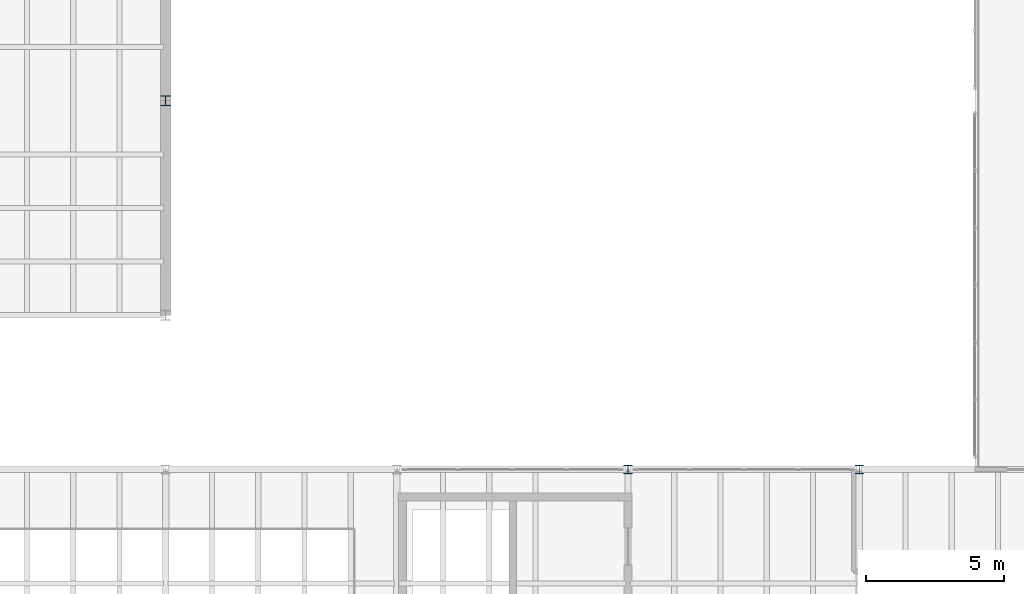
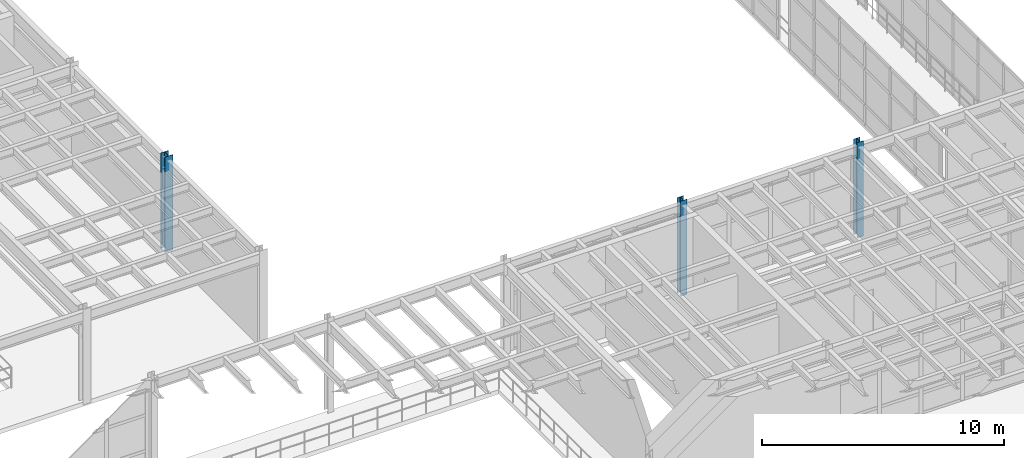
# One storey, part 6 of 105: 3 columns.
"""IFC4 building model written with IfcOpenShell, lengths in metres."""

from ifc_helpers import new_model, si_unit, direction, frame, origin, origin_2d, place, context, subcontext, project, spatial, i_section, extrude, material, material_profile, profile_set, type_object, element, save


model = new_model("IFC4")

# Units and contexts
model_context = context("Model", 3, precision=1e-05, world=origin(), true_north=direction((0.0, 1.0)))
body_context = subcontext(model_context, "Body", "Model", "MODEL_VIEW")
ifc_project = project(units=[si_unit("LENGTHUNIT", "METRE"), si_unit("AREAUNIT", "SQUARE_METRE"), si_unit("VOLUMEUNIT", "CUBIC_METRE"), si_unit("PLANEANGLEUNIT", "RADIAN"), si_unit("MASSUNIT", "GRAM", prefix="KILO")], contexts=[model_context])

# Site, building, storey
site_placement = place(None, origin())
site = spatial("IfcSite", under=ifc_project, at=site_placement, CompositionType="ELEMENT")
building_placement = place(site_placement, origin())
building = spatial("IfcBuilding", under=site, at=building_placement, Name="Selat Folded Stagehouse", CompositionType="ELEMENT")
storey_placement = place(building_placement, frame((0.0, 0.0, 10.199951171875)))
storey = spatial("IfcBuildingStorey", under=building, at=storey_placement, Name="L02", CompositionType="ELEMENT", Elevation=10.199951171875)

# Columns
ifc_material = material(Name="Steel S355", Category="steel")
ifc_material_profile_1 = material_profile(ifc_material, i_section(OverallWidth=0.305419921875, OverallDepth=0.307861328125, WebThickness=0.010009765625, FlangeThickness=0.015380859375, FilletRadius=0.01513671875, at=origin_2d()), Name="UKC 305x305x97")
ifc_profile_set_1 = profile_set([ifc_material_profile_1], Name="Steel S355")
column_type_1 = type_object("IfcColumnType", Name="COL-UKC-305x305x97", PredefinedType="COLUMN", material=ifc_profile_set_1)
for number, where, z_axis, x_axis, name in (
    (1, (84.0, 17.800048828125, 0.0), (0.0, 0.0, 1.0), (1.0, 0.0, 0.0), "L02 column STK-V5-84-178"),
    (2, (92.39990234375, 17.800048828125, 0.0), (0.0, 0.0, 1.0), (1.0, 0.0, 0.0), "L02 column STK-V5-92-178"),
):
    element("IfcColumn", number, at=place(storey_placement, frame(where, z_axis=z_axis, x_axis=x_axis)), inside=storey, type_object=column_type_1, Name=name, PredefinedType="COLUMN", context=body_context, shape_type="SweptSolid", body=[
        extrude(i_section(OverallWidth=0.305419921875, OverallDepth=0.307861328125, WebThickness=0.010009765625, FlangeThickness=0.015380859375, FilletRadius=0.01513671875, at=origin_2d()), origin(), (0.0, 0.0, 1.0), 4.800048828125),
    ])
ifc_material_profile_2 = material_profile(ifc_material, i_section(OverallWidth=0.37255859375, OverallDepth=0.3681640625, WebThickness=0.014404296875, FlangeThickness=0.023681640625, FilletRadius=0.01513671875, at=origin_2d()), Name="UKC 356x368x177")
ifc_profile_set_2 = profile_set([ifc_material_profile_2], Name="Steel S355")
column_type_2 = type_object("IfcColumnType", Name="COL-UKC-356x368x177", PredefinedType="COLUMN", material=ifc_profile_set_2)
column_placement = place(storey_placement, frame((67.199951171875, 31.199951171875, 0.0), z_axis=(0.0, 0.0, 1.0), x_axis=(1.0, 0.0, 0.0)))
element("IfcColumn", 3, at=column_placement, inside=storey, type_object=column_type_2, Name="L02 column STK-V2-22", PredefinedType="COLUMN", context=body_context, shape_type="SweptSolid", body=[
    extrude(i_section(OverallWidth=0.37255859375, OverallDepth=0.3681640625, WebThickness=0.014404296875, FlangeThickness=0.023681640625, FilletRadius=0.01513671875, at=origin_2d()), origin(), (0.0, 0.0, 1.0), 4.800048828125),
])

save(model, "model.ifc")
